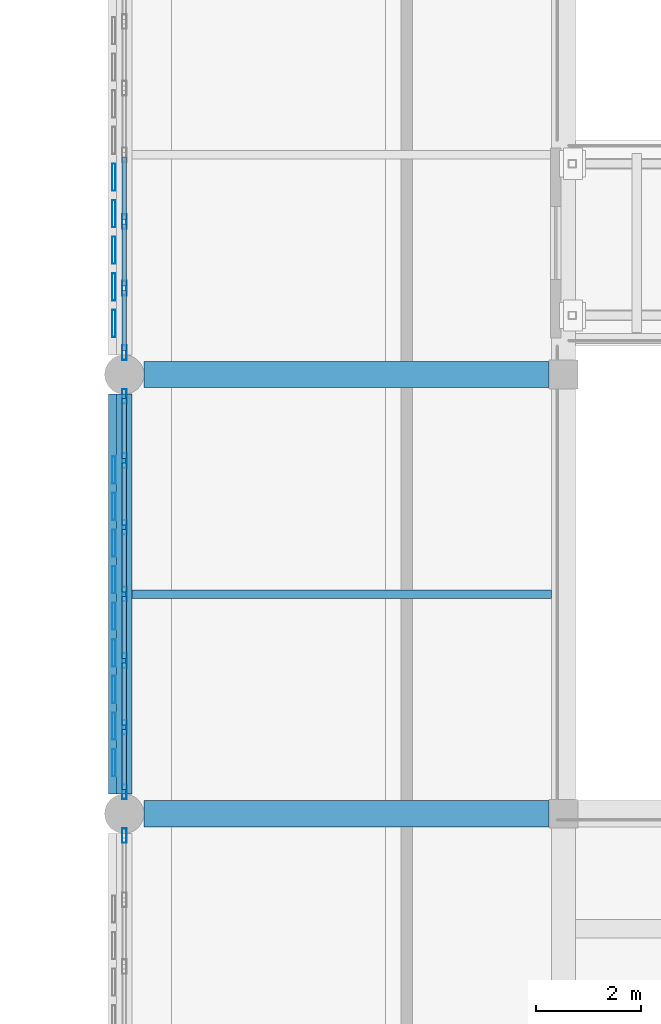
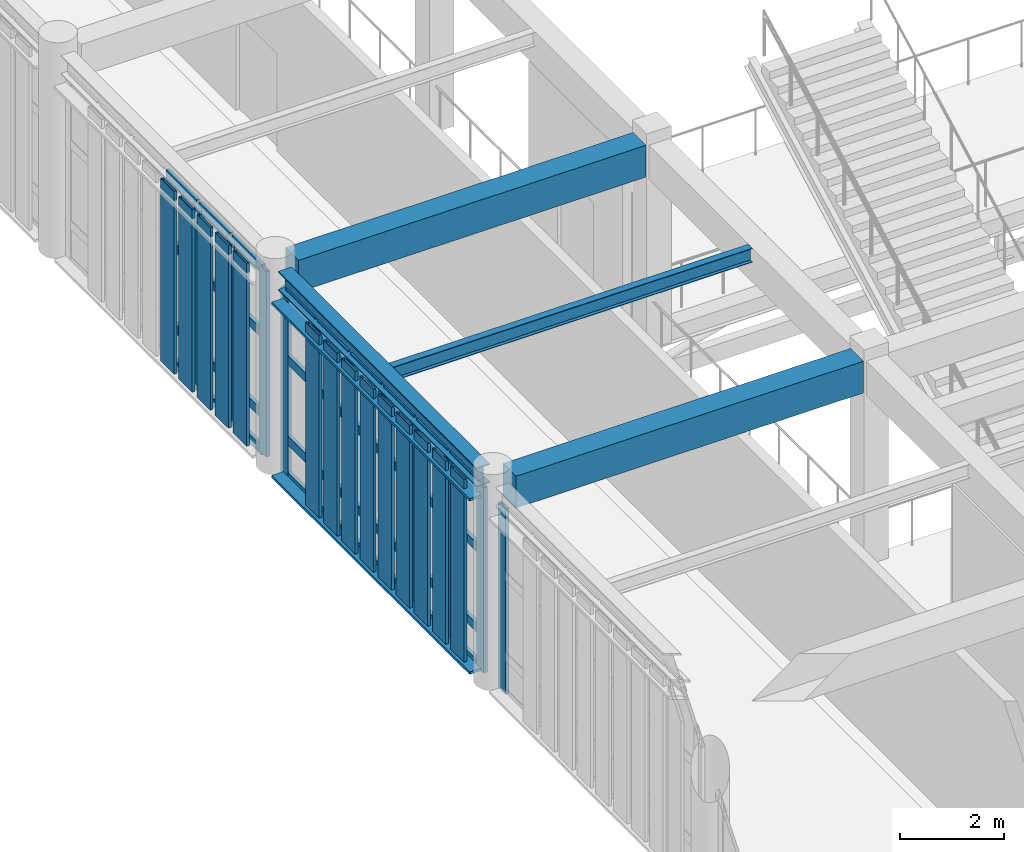
# One storey, part 17 of 106: 63 members, 4 beams, 3 elements without a shape of their own.
"""IFC4 building model written with IfcOpenShell, lengths in metres."""

from ifc_helpers import new_model, si_unit, direction, frame, origin, origin_2d, place, context, subcontext, project, spatial, rectangle, hollow_rectangle, i_section, extrude, material, layer, layer_set, material_profile, profile_set, type_object, element, aggregate, save


model = new_model("IFC4")

# Units and contexts
model_context = context("Model", 3, precision=1e-05, world=origin(), true_north=direction((0.0, 1.0)))
body_context = subcontext(model_context, "Body", "Model", "MODEL_VIEW")
ifc_project = project(units=[si_unit("LENGTHUNIT", "METRE"), si_unit("AREAUNIT", "SQUARE_METRE"), si_unit("VOLUMEUNIT", "CUBIC_METRE"), si_unit("PLANEANGLEUNIT", "RADIAN"), si_unit("MASSUNIT", "GRAM", prefix="KILO")], contexts=[model_context])

# Site, building, storey
site_placement = place(None, origin())
site = spatial("IfcSite", under=ifc_project, at=site_placement, CompositionType="ELEMENT")
building_placement = place(site_placement, origin())
building = spatial("IfcBuilding", under=site, at=building_placement, Name="Krzemoval Escarpment Law Courts", CompositionType="ELEMENT")
storey_placement = place(building_placement, frame((0.0, 0.0, 5.10009765625)))
storey = spatial("IfcBuildingStorey", under=building, at=storey_placement, Name="L01", CompositionType="ELEMENT", Elevation=5.10009765625)

# Beams
ifc_material_1 = material(Name="Concrete C40/50", Category="concrete")
ifc_material_profile_1 = material_profile(ifc_material_1, rectangle(XDim=0.5, YDim=0.75, at=origin_2d()), Name="RCB 500x750")
ifc_profile_set_1 = profile_set([ifc_material_profile_1], Name="Concrete C40/50")
beam_type_1 = type_object("IfcBeamType", Name="BM-RC-500x750", PredefinedType="BEAM", material=ifc_profile_set_1)
for number, where, z_axis, x_axis, name in (
    (1, (8.77490234375, 49.199951171875, 4.44482421875), (1.0, 0.0, 0.0), (0.0, 1.0, 0.0), "Beam FG-L01-1245"),
    (2, (8.77490234375, 57.60009765625, 4.44482421875), (1.0, 0.0, 0.0), (0.0, 1.0, 0.0), "Beam FG-L01-1255"),
):
    element("IfcBeam", number, at=place(storey_placement, frame(where, z_axis=z_axis, x_axis=x_axis)), inside=storey, type_object=beam_type_1, Name=name, PredefinedType="BEAM", context=body_context, shape_type="SweptSolid", body=[
        extrude(rectangle(XDim=0.5, YDim=0.75, at=origin_2d()), origin(), (0.0, 0.0, 1.0), 7.75),
    ])

# Curtain wall, member
ifc_material_2 = material(Name="Aluminium 6063-T6", Category="aluminium")
ifc_layer = layer(ifc_material_2, 0.280029296875)
ifc_layer_set = layer_set([ifc_layer], Name="Aluminium 6063-T6")
curtain_wall_type = type_object("IfcCurtainWallType", Name="CW-HALL-5100", PredefinedType="USERDEFINED", material=ifc_layer_set)
curtain_wall_1_placement = place(storey_placement, origin())
curtain_wall_1 = element("IfcCurtainWall", 3, at=curtain_wall_1_placement, inside=storey, type_object=curtain_wall_type, Name="Unitised Curtain Wall FCW-L01-023", ObjectType="UNITISED_CURTAIN_WALL", PredefinedType="USERDEFINED")
ifc_material_3 = material(Name="Aluminium 6063-T6", Category="aluminium")
ifc_material_profile_2 = material_profile(ifc_material_3, hollow_rectangle(XDim=0.0849609375, YDim=0.280029296875, WallThickness=0.005615234375, at=origin_2d()), Name="ALU M85x280")
ifc_profile_set_2 = profile_set([ifc_material_profile_2], Name="Aluminium 6063-T6")
member_type_1 = type_object("IfcMemberType", Name="CWM-85x280", PredefinedType="MULLION", material=ifc_profile_set_2)
member_1_placement = place(storey_placement, frame((8.39990234375, 48.782470703125, 0.0), z_axis=(0.0, 0.0, 1.0), x_axis=(-1.0, 0.0, 0.0)))
member_1 = element("IfcMember", 4, at=member_1_placement, type_object=member_type_1, Name="FCW-L01-023 mullion 7", PredefinedType="MULLION", context=body_context, shape_type="SweptSolid", body=[
    extrude(hollow_rectangle(XDim=0.0849609375, YDim=0.280029296875, WallThickness=0.005615234375, at=origin_2d()), origin(), (0.0, 0.0, 1.0), 4.369873046875),
])
aggregate(curtain_wall_1, [member_1])

# Curtain wall, members
curtain_wall_2_placement = place(storey_placement, origin())
curtain_wall_2 = element("IfcCurtainWall", 5, at=curtain_wall_2_placement, inside=storey, type_object=curtain_wall_type, Name="Unitised Curtain Wall FCW-L01-024", ObjectType="UNITISED_CURTAIN_WALL", PredefinedType="USERDEFINED")
member_2_placement = place(storey_placement, frame((8.39990234375, 49.617431640625, 0.0), z_axis=(0.0, 0.0, 1.0), x_axis=(-1.0, 0.0, 0.0)))
member_2 = element("IfcMember", 6, at=member_2_placement, type_object=member_type_1, Name="FCW-L01-024 mullion 1", PredefinedType="MULLION", context=body_context, shape_type="SweptSolid", body=[
    extrude(hollow_rectangle(XDim=0.0849609375, YDim=0.280029296875, WallThickness=0.005615234375, at=origin_2d()), origin(), (0.0, 0.0, 1.0), 4.369873046875),
])
member_3_placement = place(storey_placement, frame((8.39990234375, 50.85009765625, 0.0), z_axis=(0.0, 0.0, 1.0), x_axis=(-1.0, 0.0, 0.0)))
member_3 = element("IfcMember", 7, at=member_3_placement, type_object=member_type_1, Name="FCW-L01-024 mullion 2", PredefinedType="MULLION", context=body_context, shape_type="SweptSolid", body=[
    extrude(hollow_rectangle(XDim=0.0849609375, YDim=0.280029296875, WallThickness=0.005615234375, at=origin_2d()), origin(), (0.0, 0.0, 1.0), 4.369873046875),
])
member_4_placement = place(storey_placement, frame((8.39990234375, 52.125, 0.0), z_axis=(0.0, 0.0, 1.0), x_axis=(-1.0, 0.0, 0.0)))
member_4 = element("IfcMember", 8, at=member_4_placement, type_object=member_type_1, Name="FCW-L01-024 mullion 3", PredefinedType="MULLION", context=body_context, shape_type="SweptSolid", body=[
    extrude(hollow_rectangle(XDim=0.0849609375, YDim=0.280029296875, WallThickness=0.005615234375, at=origin_2d()), origin(), (0.0, 0.0, 1.0), 4.369873046875),
])
member_5_placement = place(storey_placement, frame((8.39990234375, 53.39990234375, 0.0), z_axis=(0.0, 0.0, 1.0), x_axis=(-1.0, 0.0, 0.0)))
member_5 = element("IfcMember", 9, at=member_5_placement, type_object=member_type_1, Name="FCW-L01-024 mullion 4", PredefinedType="MULLION", context=body_context, shape_type="SweptSolid", body=[
    extrude(hollow_rectangle(XDim=0.0849609375, YDim=0.280029296875, WallThickness=0.005615234375, at=origin_2d()), origin(), (0.0, 0.0, 1.0), 4.369873046875),
])
member_6_placement = place(storey_placement, frame((8.39990234375, 54.675048828125, 0.0), z_axis=(0.0, 0.0, 1.0), x_axis=(-1.0, 0.0, 0.0)))
member_6 = element("IfcMember", 10, at=member_6_placement, type_object=member_type_1, Name="FCW-L01-024 mullion 5", PredefinedType="MULLION", context=body_context, shape_type="SweptSolid", body=[
    extrude(hollow_rectangle(XDim=0.0849609375, YDim=0.280029296875, WallThickness=0.005615234375, at=origin_2d()), origin(), (0.0, 0.0, 1.0), 4.369873046875),
])
member_7_placement = place(storey_placement, frame((8.39990234375, 55.949951171875, 0.0), z_axis=(0.0, 0.0, 1.0), x_axis=(-1.0, 0.0, 0.0)))
member_7 = element("IfcMember", 11, at=member_7_placement, type_object=member_type_1, Name="FCW-L01-024 mullion 6", PredefinedType="MULLION", context=body_context, shape_type="SweptSolid", body=[
    extrude(hollow_rectangle(XDim=0.0849609375, YDim=0.280029296875, WallThickness=0.005615234375, at=origin_2d()), origin(), (0.0, 0.0, 1.0), 4.369873046875),
])
member_8_placement = place(storey_placement, frame((8.39990234375, 57.1826171875, 0.0), z_axis=(0.0, 0.0, 1.0), x_axis=(-1.0, 0.0, 0.0)))
member_8 = element("IfcMember", 12, at=member_8_placement, type_object=member_type_1, Name="FCW-L01-024 mullion 7", PredefinedType="MULLION", context=body_context, shape_type="SweptSolid", body=[
    extrude(hollow_rectangle(XDim=0.0849609375, YDim=0.280029296875, WallThickness=0.005615234375, at=origin_2d()), origin(), (0.0, 0.0, 1.0), 4.369873046875),
])

curtain_wall_3_placement = place(storey_placement, origin())
curtain_wall_3 = element("IfcCurtainWall", 13, at=curtain_wall_3_placement, inside=storey, type_object=curtain_wall_type, Name="Unitised Curtain Wall FCW-L01-025", ObjectType="UNITISED_CURTAIN_WALL", PredefinedType="USERDEFINED")
member_9_placement = place(storey_placement, frame((8.39990234375, 58.017578125, 0.0), z_axis=(0.0, 0.0, 1.0), x_axis=(-1.0, 0.0, 0.0)))
member_9 = element("IfcMember", 14, at=member_9_placement, type_object=member_type_1, Name="FCW-L01-025 mullion 1", PredefinedType="MULLION", context=body_context, shape_type="SweptSolid", body=[
    extrude(hollow_rectangle(XDim=0.0849609375, YDim=0.280029296875, WallThickness=0.005615234375, at=origin_2d()), origin(), (0.0, 0.0, 1.0), 4.369873046875),
])
member_10_placement = place(storey_placement, frame((8.39990234375, 59.25, 0.0), z_axis=(0.0, 0.0, 1.0), x_axis=(-1.0, 0.0, 0.0)))
member_10 = element("IfcMember", 15, at=member_10_placement, type_object=member_type_1, Name="FCW-L01-025 mullion 2", PredefinedType="MULLION", context=body_context, shape_type="SweptSolid", body=[
    extrude(hollow_rectangle(XDim=0.0849609375, YDim=0.280029296875, WallThickness=0.005615234375, at=origin_2d()), origin(), (0.0, 0.0, 1.0), 4.369873046875),
])
member_11_placement = place(storey_placement, frame((8.39990234375, 60.52490234375, 0.0), z_axis=(0.0, 0.0, 1.0), x_axis=(-1.0, 0.0, 0.0)))
member_11 = element("IfcMember", 16, at=member_11_placement, type_object=member_type_1, Name="FCW-L01-025 mullion 3", PredefinedType="MULLION", context=body_context, shape_type="SweptSolid", body=[
    extrude(hollow_rectangle(XDim=0.0849609375, YDim=0.280029296875, WallThickness=0.005615234375, at=origin_2d()), origin(), (0.0, 0.0, 1.0), 4.369873046875),
])

# Member
ifc_material_4 = material(Name="Aluminium 6063-T6", Category="aluminium")
ifc_material_profile_3 = material_profile(ifc_material_4, hollow_rectangle(XDim=0.0849609375, YDim=0.2099609375, WallThickness=0.005615234375, at=origin_2d()), Name="ALU T85x210")
ifc_profile_set_3 = profile_set([ifc_material_profile_3], Name="Aluminium 6063-T6")
member_type_2 = type_object("IfcMemberType", Name="CWT-85x210", PredefinedType="USERDEFINED", material=ifc_profile_set_3)
member_12_placement = place(storey_placement, frame((8.39990234375, 49.659912109375, 0.04248046875), z_axis=(0.0, 1.0, 0.0), x_axis=(-1.0, 0.0, 0.0)))
member_12 = element("IfcMember", 17, at=member_12_placement, type_object=member_type_2, Name="FCW-L01-024 transom 1.1", ObjectType="TRANSOM", PredefinedType="USERDEFINED", context=body_context, shape_type="SweptSolid", body=[
    extrude(hollow_rectangle(XDim=0.0849609375, YDim=0.2099609375, WallThickness=0.005615234375, at=origin_2d()), origin(), (0.0, 0.0, 1.0), 1.147705078125),
])

member_13_placement = place(storey_placement, frame((8.39990234375, 49.659912109375, 0.89990234375), z_axis=(0.0, 1.0, 0.0), x_axis=(-1.0, 0.0, 0.0)))
member_13 = element("IfcMember", 18, at=member_13_placement, type_object=member_type_2, Name="FCW-L01-024 transom 1.2", ObjectType="TRANSOM", PredefinedType="USERDEFINED", context=body_context, shape_type="SweptSolid", body=[
    extrude(hollow_rectangle(XDim=0.0849609375, YDim=0.2099609375, WallThickness=0.005615234375, at=origin_2d()), origin(), (0.0, 0.0, 1.0), 1.147705078125),
])

member_14_placement = place(storey_placement, frame((8.39990234375, 49.659912109375, 2.7998046875), z_axis=(0.0, 1.0, 0.0), x_axis=(-1.0, 0.0, 0.0)))
member_14 = element("IfcMember", 19, at=member_14_placement, type_object=member_type_2, Name="FCW-L01-024 transom 1.3", ObjectType="TRANSOM", PredefinedType="USERDEFINED", context=body_context, shape_type="SweptSolid", body=[
    extrude(hollow_rectangle(XDim=0.0849609375, YDim=0.2099609375, WallThickness=0.005615234375, at=origin_2d()), origin(), (0.0, 0.0, 1.0), 1.147705078125),
])

member_15_placement = place(storey_placement, frame((8.39990234375, 49.659912109375, 4.327392578125), z_axis=(0.0, 1.0, 0.0), x_axis=(-1.0, 0.0, 0.0)))
member_15 = element("IfcMember", 20, at=member_15_placement, type_object=member_type_2, Name="FCW-L01-024 transom 1.4", ObjectType="TRANSOM", PredefinedType="USERDEFINED", context=body_context, shape_type="SweptSolid", body=[
    extrude(hollow_rectangle(XDim=0.0849609375, YDim=0.2099609375, WallThickness=0.005615234375, at=origin_2d()), origin(), (0.0, 0.0, 1.0), 1.147705078125),
])

member_16_placement = place(storey_placement, frame((8.39990234375, 50.892578125, 0.04248046875), z_axis=(0.0, 1.0, 0.0), x_axis=(-1.0, 0.0, 0.0)))
member_16 = element("IfcMember", 21, at=member_16_placement, type_object=member_type_2, Name="FCW-L01-024 transom 2.1", ObjectType="TRANSOM", PredefinedType="USERDEFINED", context=body_context, shape_type="SweptSolid", body=[
    extrude(hollow_rectangle(XDim=0.0849609375, YDim=0.2099609375, WallThickness=0.005615234375, at=origin_2d()), origin(), (0.0, 0.0, 1.0), 1.18994140625),
])

member_17_placement = place(storey_placement, frame((8.39990234375, 50.892578125, 0.89990234375), z_axis=(0.0, 1.0, 0.0), x_axis=(-1.0, 0.0, 0.0)))
member_17 = element("IfcMember", 22, at=member_17_placement, type_object=member_type_2, Name="FCW-L01-024 transom 2.2", ObjectType="TRANSOM", PredefinedType="USERDEFINED", context=body_context, shape_type="SweptSolid", body=[
    extrude(hollow_rectangle(XDim=0.0849609375, YDim=0.2099609375, WallThickness=0.005615234375, at=origin_2d()), origin(), (0.0, 0.0, 1.0), 1.18994140625),
])

member_18_placement = place(storey_placement, frame((8.39990234375, 50.892578125, 2.7998046875), z_axis=(0.0, 1.0, 0.0), x_axis=(-1.0, 0.0, 0.0)))
member_18 = element("IfcMember", 23, at=member_18_placement, type_object=member_type_2, Name="FCW-L01-024 transom 2.3", ObjectType="TRANSOM", PredefinedType="USERDEFINED", context=body_context, shape_type="SweptSolid", body=[
    extrude(hollow_rectangle(XDim=0.0849609375, YDim=0.2099609375, WallThickness=0.005615234375, at=origin_2d()), origin(), (0.0, 0.0, 1.0), 1.18994140625),
])

member_19_placement = place(storey_placement, frame((8.39990234375, 50.892578125, 4.327392578125), z_axis=(0.0, 1.0, 0.0), x_axis=(-1.0, 0.0, 0.0)))
member_19 = element("IfcMember", 24, at=member_19_placement, type_object=member_type_2, Name="FCW-L01-024 transom 2.4", ObjectType="TRANSOM", PredefinedType="USERDEFINED", context=body_context, shape_type="SweptSolid", body=[
    extrude(hollow_rectangle(XDim=0.0849609375, YDim=0.2099609375, WallThickness=0.005615234375, at=origin_2d()), origin(), (0.0, 0.0, 1.0), 1.18994140625),
])

member_20_placement = place(storey_placement, frame((8.39990234375, 52.16748046875, 0.04248046875), z_axis=(0.0, 1.0, 0.0), x_axis=(-1.0, 0.0, 0.0)))
member_20 = element("IfcMember", 25, at=member_20_placement, type_object=member_type_2, Name="FCW-L01-024 transom 3.1", ObjectType="TRANSOM", PredefinedType="USERDEFINED", context=body_context, shape_type="SweptSolid", body=[
    extrude(hollow_rectangle(XDim=0.0849609375, YDim=0.2099609375, WallThickness=0.005615234375, at=origin_2d()), origin(), (0.0, 0.0, 1.0), 1.18994140625),
])

member_21_placement = place(storey_placement, frame((8.39990234375, 52.16748046875, 0.89990234375), z_axis=(0.0, 1.0, 0.0), x_axis=(-1.0, 0.0, 0.0)))
member_21 = element("IfcMember", 26, at=member_21_placement, type_object=member_type_2, Name="FCW-L01-024 transom 3.2", ObjectType="TRANSOM", PredefinedType="USERDEFINED", context=body_context, shape_type="SweptSolid", body=[
    extrude(hollow_rectangle(XDim=0.0849609375, YDim=0.2099609375, WallThickness=0.005615234375, at=origin_2d()), origin(), (0.0, 0.0, 1.0), 1.18994140625),
])

member_22_placement = place(storey_placement, frame((8.39990234375, 52.16748046875, 2.7998046875), z_axis=(0.0, 1.0, 0.0), x_axis=(-1.0, 0.0, 0.0)))
member_22 = element("IfcMember", 27, at=member_22_placement, type_object=member_type_2, Name="FCW-L01-024 transom 3.3", ObjectType="TRANSOM", PredefinedType="USERDEFINED", context=body_context, shape_type="SweptSolid", body=[
    extrude(hollow_rectangle(XDim=0.0849609375, YDim=0.2099609375, WallThickness=0.005615234375, at=origin_2d()), origin(), (0.0, 0.0, 1.0), 1.18994140625),
])

member_23_placement = place(storey_placement, frame((8.39990234375, 52.16748046875, 4.327392578125), z_axis=(0.0, 1.0, 0.0), x_axis=(-1.0, 0.0, 0.0)))
member_23 = element("IfcMember", 28, at=member_23_placement, type_object=member_type_2, Name="FCW-L01-024 transom 3.4", ObjectType="TRANSOM", PredefinedType="USERDEFINED", context=body_context, shape_type="SweptSolid", body=[
    extrude(hollow_rectangle(XDim=0.0849609375, YDim=0.2099609375, WallThickness=0.005615234375, at=origin_2d()), origin(), (0.0, 0.0, 1.0), 1.18994140625),
])

member_24_placement = place(storey_placement, frame((8.39990234375, 53.4423828125, 0.04248046875), z_axis=(0.0, 1.0, 0.0), x_axis=(-1.0, 0.0, 0.0)))
member_24 = element("IfcMember", 29, at=member_24_placement, type_object=member_type_2, Name="FCW-L01-024 transom 4.1", ObjectType="TRANSOM", PredefinedType="USERDEFINED", context=body_context, shape_type="SweptSolid", body=[
    extrude(hollow_rectangle(XDim=0.0849609375, YDim=0.2099609375, WallThickness=0.005615234375, at=origin_2d()), origin(), (0.0, 0.0, 1.0), 1.190185546875),
])

member_25_placement = place(storey_placement, frame((8.39990234375, 53.4423828125, 0.89990234375), z_axis=(0.0, 1.0, 0.0), x_axis=(-1.0, 0.0, 0.0)))
member_25 = element("IfcMember", 30, at=member_25_placement, type_object=member_type_2, Name="FCW-L01-024 transom 4.2", ObjectType="TRANSOM", PredefinedType="USERDEFINED", context=body_context, shape_type="SweptSolid", body=[
    extrude(hollow_rectangle(XDim=0.0849609375, YDim=0.2099609375, WallThickness=0.005615234375, at=origin_2d()), origin(), (0.0, 0.0, 1.0), 1.190185546875),
])

member_26_placement = place(storey_placement, frame((8.39990234375, 53.4423828125, 2.7998046875), z_axis=(0.0, 1.0, 0.0), x_axis=(-1.0, 0.0, 0.0)))
member_26 = element("IfcMember", 31, at=member_26_placement, type_object=member_type_2, Name="FCW-L01-024 transom 4.3", ObjectType="TRANSOM", PredefinedType="USERDEFINED", context=body_context, shape_type="SweptSolid", body=[
    extrude(hollow_rectangle(XDim=0.0849609375, YDim=0.2099609375, WallThickness=0.005615234375, at=origin_2d()), origin(), (0.0, 0.0, 1.0), 1.190185546875),
])

member_27_placement = place(storey_placement, frame((8.39990234375, 53.4423828125, 4.327392578125), z_axis=(0.0, 1.0, 0.0), x_axis=(-1.0, 0.0, 0.0)))
member_27 = element("IfcMember", 32, at=member_27_placement, type_object=member_type_2, Name="FCW-L01-024 transom 4.4", ObjectType="TRANSOM", PredefinedType="USERDEFINED", context=body_context, shape_type="SweptSolid", body=[
    extrude(hollow_rectangle(XDim=0.0849609375, YDim=0.2099609375, WallThickness=0.005615234375, at=origin_2d()), origin(), (0.0, 0.0, 1.0), 1.190185546875),
])

member_28_placement = place(storey_placement, frame((8.39990234375, 54.717529296875, 0.04248046875), z_axis=(0.0, 1.0, 0.0), x_axis=(-1.0, 0.0, 0.0)))
member_28 = element("IfcMember", 33, at=member_28_placement, type_object=member_type_2, Name="FCW-L01-024 transom 5.1", ObjectType="TRANSOM", PredefinedType="USERDEFINED", context=body_context, shape_type="SweptSolid", body=[
    extrude(hollow_rectangle(XDim=0.0849609375, YDim=0.2099609375, WallThickness=0.005615234375, at=origin_2d()), origin(), (0.0, 0.0, 1.0), 1.18994140625),
])

member_29_placement = place(storey_placement, frame((8.39990234375, 54.717529296875, 0.89990234375), z_axis=(0.0, 1.0, 0.0), x_axis=(-1.0, 0.0, 0.0)))
member_29 = element("IfcMember", 34, at=member_29_placement, type_object=member_type_2, Name="FCW-L01-024 transom 5.2", ObjectType="TRANSOM", PredefinedType="USERDEFINED", context=body_context, shape_type="SweptSolid", body=[
    extrude(hollow_rectangle(XDim=0.0849609375, YDim=0.2099609375, WallThickness=0.005615234375, at=origin_2d()), origin(), (0.0, 0.0, 1.0), 1.18994140625),
])

member_30_placement = place(storey_placement, frame((8.39990234375, 54.717529296875, 2.7998046875), z_axis=(0.0, 1.0, 0.0), x_axis=(-1.0, 0.0, 0.0)))
member_30 = element("IfcMember", 35, at=member_30_placement, type_object=member_type_2, Name="FCW-L01-024 transom 5.3", ObjectType="TRANSOM", PredefinedType="USERDEFINED", context=body_context, shape_type="SweptSolid", body=[
    extrude(hollow_rectangle(XDim=0.0849609375, YDim=0.2099609375, WallThickness=0.005615234375, at=origin_2d()), origin(), (0.0, 0.0, 1.0), 1.18994140625),
])

member_31_placement = place(storey_placement, frame((8.39990234375, 54.717529296875, 4.327392578125), z_axis=(0.0, 1.0, 0.0), x_axis=(-1.0, 0.0, 0.0)))
member_31 = element("IfcMember", 36, at=member_31_placement, type_object=member_type_2, Name="FCW-L01-024 transom 5.4", ObjectType="TRANSOM", PredefinedType="USERDEFINED", context=body_context, shape_type="SweptSolid", body=[
    extrude(hollow_rectangle(XDim=0.0849609375, YDim=0.2099609375, WallThickness=0.005615234375, at=origin_2d()), origin(), (0.0, 0.0, 1.0), 1.18994140625),
])

member_32_placement = place(storey_placement, frame((8.39990234375, 55.992431640625, 0.04248046875), z_axis=(0.0, 1.0, 0.0), x_axis=(-1.0, 0.0, 0.0)))
member_32 = element("IfcMember", 37, at=member_32_placement, type_object=member_type_2, Name="FCW-L01-024 transom 6.1", ObjectType="TRANSOM", PredefinedType="USERDEFINED", context=body_context, shape_type="SweptSolid", body=[
    extrude(hollow_rectangle(XDim=0.0849609375, YDim=0.2099609375, WallThickness=0.005615234375, at=origin_2d()), origin(), (0.0, 0.0, 1.0), 1.1474609375),
])

member_33_placement = place(storey_placement, frame((8.39990234375, 55.992431640625, 0.89990234375), z_axis=(0.0, 1.0, 0.0), x_axis=(-1.0, 0.0, 0.0)))
member_33 = element("IfcMember", 38, at=member_33_placement, type_object=member_type_2, Name="FCW-L01-024 transom 6.2", ObjectType="TRANSOM", PredefinedType="USERDEFINED", context=body_context, shape_type="SweptSolid", body=[
    extrude(hollow_rectangle(XDim=0.0849609375, YDim=0.2099609375, WallThickness=0.005615234375, at=origin_2d()), origin(), (0.0, 0.0, 1.0), 1.1474609375),
])

member_34_placement = place(storey_placement, frame((8.39990234375, 55.992431640625, 2.7998046875), z_axis=(0.0, 1.0, 0.0), x_axis=(-1.0, 0.0, 0.0)))
member_34 = element("IfcMember", 39, at=member_34_placement, type_object=member_type_2, Name="FCW-L01-024 transom 6.3", ObjectType="TRANSOM", PredefinedType="USERDEFINED", context=body_context, shape_type="SweptSolid", body=[
    extrude(hollow_rectangle(XDim=0.0849609375, YDim=0.2099609375, WallThickness=0.005615234375, at=origin_2d()), origin(), (0.0, 0.0, 1.0), 1.1474609375),
])

member_35_placement = place(storey_placement, frame((8.39990234375, 55.992431640625, 4.327392578125), z_axis=(0.0, 1.0, 0.0), x_axis=(-1.0, 0.0, 0.0)))
member_35 = element("IfcMember", 40, at=member_35_placement, type_object=member_type_2, Name="FCW-L01-024 transom 6.4", ObjectType="TRANSOM", PredefinedType="USERDEFINED", context=body_context, shape_type="SweptSolid", body=[
    extrude(hollow_rectangle(XDim=0.0849609375, YDim=0.2099609375, WallThickness=0.005615234375, at=origin_2d()), origin(), (0.0, 0.0, 1.0), 1.1474609375),
])

aggregate(curtain_wall_2, [member_2, member_3, member_4, member_5, member_6, member_7, member_8, member_12, member_13, member_14, member_15, member_16, member_17, member_18, member_19, member_20, member_21, member_22, member_23, member_24, member_25, member_26, member_27, member_28, member_29, member_30, member_31, member_32, member_33, member_34, member_35])

member_36_placement = place(storey_placement, frame((8.39990234375, 58.06005859375, 0.04248046875), z_axis=(0.0, 1.0, 0.0), x_axis=(-1.0, 0.0, 0.0)))
member_36 = element("IfcMember", 41, at=member_36_placement, type_object=member_type_2, Name="FCW-L01-025 transom 1.1", ObjectType="TRANSOM", PredefinedType="USERDEFINED", context=body_context, shape_type="SweptSolid", body=[
    extrude(hollow_rectangle(XDim=0.0849609375, YDim=0.2099609375, WallThickness=0.005615234375, at=origin_2d()), origin(), (0.0, 0.0, 1.0), 1.1474609375),
])

member_37_placement = place(storey_placement, frame((8.39990234375, 58.06005859375, 0.89990234375), z_axis=(0.0, 1.0, 0.0), x_axis=(-1.0, 0.0, 0.0)))
member_37 = element("IfcMember", 42, at=member_37_placement, type_object=member_type_2, Name="FCW-L01-025 transom 1.2", ObjectType="TRANSOM", PredefinedType="USERDEFINED", context=body_context, shape_type="SweptSolid", body=[
    extrude(hollow_rectangle(XDim=0.0849609375, YDim=0.2099609375, WallThickness=0.005615234375, at=origin_2d()), origin(), (0.0, 0.0, 1.0), 1.1474609375),
])

member_38_placement = place(storey_placement, frame((8.39990234375, 58.06005859375, 2.7998046875), z_axis=(0.0, 1.0, 0.0), x_axis=(-1.0, 0.0, 0.0)))
member_38 = element("IfcMember", 43, at=member_38_placement, type_object=member_type_2, Name="FCW-L01-025 transom 1.3", ObjectType="TRANSOM", PredefinedType="USERDEFINED", context=body_context, shape_type="SweptSolid", body=[
    extrude(hollow_rectangle(XDim=0.0849609375, YDim=0.2099609375, WallThickness=0.005615234375, at=origin_2d()), origin(), (0.0, 0.0, 1.0), 1.1474609375),
])

member_39_placement = place(storey_placement, frame((8.39990234375, 58.06005859375, 4.327392578125), z_axis=(0.0, 1.0, 0.0), x_axis=(-1.0, 0.0, 0.0)))
member_39 = element("IfcMember", 44, at=member_39_placement, type_object=member_type_2, Name="FCW-L01-025 transom 1.4", ObjectType="TRANSOM", PredefinedType="USERDEFINED", context=body_context, shape_type="SweptSolid", body=[
    extrude(hollow_rectangle(XDim=0.0849609375, YDim=0.2099609375, WallThickness=0.005615234375, at=origin_2d()), origin(), (0.0, 0.0, 1.0), 1.1474609375),
])

member_40_placement = place(storey_placement, frame((8.39990234375, 59.29248046875, 0.04248046875), z_axis=(0.0, 1.0, 0.0), x_axis=(-1.0, 0.0, 0.0)))
member_40 = element("IfcMember", 45, at=member_40_placement, type_object=member_type_2, Name="FCW-L01-025 transom 2.1", ObjectType="TRANSOM", PredefinedType="USERDEFINED", context=body_context, shape_type="SweptSolid", body=[
    extrude(hollow_rectangle(XDim=0.0849609375, YDim=0.2099609375, WallThickness=0.005615234375, at=origin_2d()), origin(), (0.0, 0.0, 1.0), 1.18994140625),
])

member_41_placement = place(storey_placement, frame((8.39990234375, 59.29248046875, 0.89990234375), z_axis=(0.0, 1.0, 0.0), x_axis=(-1.0, 0.0, 0.0)))
member_41 = element("IfcMember", 46, at=member_41_placement, type_object=member_type_2, Name="FCW-L01-025 transom 2.2", ObjectType="TRANSOM", PredefinedType="USERDEFINED", context=body_context, shape_type="SweptSolid", body=[
    extrude(hollow_rectangle(XDim=0.0849609375, YDim=0.2099609375, WallThickness=0.005615234375, at=origin_2d()), origin(), (0.0, 0.0, 1.0), 1.18994140625),
])

member_42_placement = place(storey_placement, frame((8.39990234375, 59.29248046875, 2.7998046875), z_axis=(0.0, 1.0, 0.0), x_axis=(-1.0, 0.0, 0.0)))
member_42 = element("IfcMember", 47, at=member_42_placement, type_object=member_type_2, Name="FCW-L01-025 transom 2.3", ObjectType="TRANSOM", PredefinedType="USERDEFINED", context=body_context, shape_type="SweptSolid", body=[
    extrude(hollow_rectangle(XDim=0.0849609375, YDim=0.2099609375, WallThickness=0.005615234375, at=origin_2d()), origin(), (0.0, 0.0, 1.0), 1.18994140625),
])

member_43_placement = place(storey_placement, frame((8.39990234375, 59.29248046875, 4.327392578125), z_axis=(0.0, 1.0, 0.0), x_axis=(-1.0, 0.0, 0.0)))
member_43 = element("IfcMember", 48, at=member_43_placement, type_object=member_type_2, Name="FCW-L01-025 transom 2.4", ObjectType="TRANSOM", PredefinedType="USERDEFINED", context=body_context, shape_type="SweptSolid", body=[
    extrude(hollow_rectangle(XDim=0.0849609375, YDim=0.2099609375, WallThickness=0.005615234375, at=origin_2d()), origin(), (0.0, 0.0, 1.0), 1.18994140625),
])

member_44_placement = place(storey_placement, frame((8.39990234375, 60.5673828125, 0.04248046875), z_axis=(0.0, 1.0, 0.0), x_axis=(-1.0, 0.0, 0.0)))
member_44 = element("IfcMember", 49, at=member_44_placement, type_object=member_type_2, Name="FCW-L01-025 transom 3.1", ObjectType="TRANSOM", PredefinedType="USERDEFINED", context=body_context, shape_type="SweptSolid", body=[
    extrude(hollow_rectangle(XDim=0.0849609375, YDim=0.2099609375, WallThickness=0.005615234375, at=origin_2d()), origin(), (0.0, 0.0, 1.0), 1.190185546875),
])

member_45_placement = place(storey_placement, frame((8.39990234375, 60.5673828125, 0.89990234375), z_axis=(0.0, 1.0, 0.0), x_axis=(-1.0, 0.0, 0.0)))
member_45 = element("IfcMember", 50, at=member_45_placement, type_object=member_type_2, Name="FCW-L01-025 transom 3.2", ObjectType="TRANSOM", PredefinedType="USERDEFINED", context=body_context, shape_type="SweptSolid", body=[
    extrude(hollow_rectangle(XDim=0.0849609375, YDim=0.2099609375, WallThickness=0.005615234375, at=origin_2d()), origin(), (0.0, 0.0, 1.0), 1.190185546875),
])

member_46_placement = place(storey_placement, frame((8.39990234375, 60.5673828125, 2.7998046875), z_axis=(0.0, 1.0, 0.0), x_axis=(-1.0, 0.0, 0.0)))
member_46 = element("IfcMember", 51, at=member_46_placement, type_object=member_type_2, Name="FCW-L01-025 transom 3.3", ObjectType="TRANSOM", PredefinedType="USERDEFINED", context=body_context, shape_type="SweptSolid", body=[
    extrude(hollow_rectangle(XDim=0.0849609375, YDim=0.2099609375, WallThickness=0.005615234375, at=origin_2d()), origin(), (0.0, 0.0, 1.0), 1.190185546875),
])

member_47_placement = place(storey_placement, frame((8.39990234375, 60.5673828125, 4.327392578125), z_axis=(0.0, 1.0, 0.0), x_axis=(-1.0, 0.0, 0.0)))
member_47 = element("IfcMember", 52, at=member_47_placement, type_object=member_type_2, Name="FCW-L01-025 transom 3.4", ObjectType="TRANSOM", PredefinedType="USERDEFINED", context=body_context, shape_type="SweptSolid", body=[
    extrude(hollow_rectangle(XDim=0.0849609375, YDim=0.2099609375, WallThickness=0.005615234375, at=origin_2d()), origin(), (0.0, 0.0, 1.0), 1.190185546875),
])

aggregate(curtain_wall_3, [member_9, member_10, member_11, member_36, member_37, member_38, member_39, member_40, member_41, member_42, member_43, member_44, member_45, member_46, member_47])

# Beam
ifc_material_5 = material(Name="Steel S355", Category="steel")
ifc_material_profile_4 = material_profile(ifc_material_5, i_section(OverallWidth=0.159912109375, OverallDepth=0.330078125, WebThickness=0.007568359375, FlangeThickness=0.011474609375, at=origin_2d()), Name="IPE 330")
ifc_profile_set_4 = profile_set([ifc_material_profile_4], Name="Steel S355")
beam_type_2 = type_object("IfcBeamType", Name="JST-S355-IPE330", PredefinedType="JOIST", material=ifc_profile_set_4)
beam_1_placement = place(storey_placement, frame((8.550048828125, 53.39990234375, 4.65478515625), z_axis=(1.0, 0.0, 0.0), x_axis=(0.0, 1.0, 0.0)))
element("IfcBeam", 53, at=beam_1_placement, inside=storey, type_object=beam_type_2, Name="Secondary Joist FJ-L01-1606", PredefinedType="JOIST", context=body_context, shape_type="SweptSolid", body=[
    extrude(i_section(OverallWidth=0.159912109375, OverallDepth=0.330078125, WebThickness=0.007568359375, FlangeThickness=0.011474609375, at=origin_2d()), origin(), (0.0, 0.0, 1.0), 8.02490234375),
])

# Members
ifc_material_6 = material(Name="Anodised Aluminium Alloy 6063-T6", Category="aluminium")
ifc_material_profile_5 = material_profile(ifc_material_6, hollow_rectangle(XDim=0.06005859375, YDim=0.320068359375, WallThickness=0.00390625, at=origin_2d()), Name="ALU LVR 60x320")
ifc_profile_set_5 = profile_set([ifc_material_profile_5], Name="Anodised Aluminium Alloy 6063-T6")
member_type_3 = type_object("IfcMemberType", Name="LVR-ALU-320", PredefinedType="USERDEFINED", material=ifc_profile_set_5)
for number, where, z_axis, x_axis, name in (
    (54, (8.260009765625, 49.574951171875, 0.02978515625), (0.0, 1.0, 0.0), (0.0, 0.0, 1.0), "Sunshade Support Rail FSR-L01-0019"),
    (55, (8.260009765625, 49.574951171875, 4.119873046875), (0.0, 1.0, 0.0), (0.0, 0.0, 1.0), "Sunshade Support Rail FSR-L01-0020"),
):
    element("IfcMember", number, at=place(storey_placement, frame(where, z_axis=z_axis, x_axis=x_axis)), inside=storey, type_object=member_type_3, Name=name, ObjectType="SUNSHADE_LOUVRE", PredefinedType="USERDEFINED", context=body_context, shape_type="SweptSolid", body=[
        extrude(hollow_rectangle(XDim=0.06005859375, YDim=0.320068359375, WallThickness=0.00390625, at=origin_2d()), origin(), (0.0, 0.0, 1.0), 7.650146484375),
    ])
ifc_material_7 = material(Name="Anodised Aluminium Alloy 6063-T6", Category="aluminium")
ifc_material_profile_6 = material_profile(ifc_material_7, hollow_rectangle(XDim=0.06494140625, YDim=0.52001953125, WallThickness=0.00439453125, at=origin_2d()), Name="ALU LVR 65x520")
ifc_profile_set_6 = profile_set([ifc_material_profile_6], Name="Anodised Aluminium Alloy 6063-T6")
member_type_4 = type_object("IfcMemberType", Name="LVR-ALU-520", PredefinedType="USERDEFINED", material=ifc_profile_set_6)
for number, where, z_axis, x_axis, name in (
    (56, (8.199951171875, 50.175048828125, 0.059814453125), (0.0, 0.0, 1.0), (1.0, 0.0, 0.0), "Sunshade Louvre Fin FLV-L01-0021"),
    (57, (8.199951171875, 50.875, 0.059814453125), (0.0, 0.0, 1.0), (1.0, 0.0, 0.0), "Sunshade Louvre Fin FLV-L01-0022"),
    (58, (8.199951171875, 51.574951171875, 0.059814453125), (0.0, 0.0, 1.0), (1.0, 0.0, 0.0), "Sunshade Louvre Fin FLV-L01-0023"),
    (59, (8.199951171875, 52.27490234375, 0.059814453125), (0.0, 0.0, 1.0), (1.0, 0.0, 0.0), "Sunshade Louvre Fin FLV-L01-0024"),
    (60, (8.199951171875, 52.97509765625, 0.059814453125), (0.0, 0.0, 1.0), (1.0, 0.0, 0.0), "Sunshade Louvre Fin FLV-L01-0025"),
    (61, (8.199951171875, 53.675048828125, 0.059814453125), (0.0, 0.0, 1.0), (1.0, 0.0, 0.0), "Sunshade Louvre Fin FLV-L01-0026"),
    (62, (8.199951171875, 54.375, 0.059814453125), (0.0, 0.0, 1.0), (1.0, 0.0, 0.0), "Sunshade Louvre Fin FLV-L01-0027"),
    (63, (8.199951171875, 55.074951171875, 0.059814453125), (0.0, 0.0, 1.0), (1.0, 0.0, 0.0), "Sunshade Louvre Fin FLV-L01-0028"),
    (64, (8.199951171875, 55.77490234375, 0.059814453125), (0.0, 0.0, 1.0), (1.0, 0.0, 0.0), "Sunshade Louvre Fin FLV-L01-0029"),
    (65, (8.199951171875, 58.574951171875, 0.059814453125), (0.0, 0.0, 1.0), (1.0, 0.0, 0.0), "Sunshade Louvre Fin FLV-L01-0032"),
    (66, (8.199951171875, 59.27490234375, 0.059814453125), (0.0, 0.0, 1.0), (1.0, 0.0, 0.0), "Sunshade Louvre Fin FLV-L01-0033"),
    (67, (8.199951171875, 59.97509765625, 0.059814453125), (0.0, 0.0, 1.0), (1.0, 0.0, 0.0), "Sunshade Louvre Fin FLV-L01-0034"),
    (68, (8.199951171875, 60.675048828125, 0.059814453125), (0.0, 0.0, 1.0), (1.0, 0.0, 0.0), "Sunshade Louvre Fin FLV-L01-0035"),
    (69, (8.199951171875, 61.375, 0.059814453125), (0.0, 0.0, 1.0), (1.0, 0.0, 0.0), "Sunshade Louvre Fin FLV-L01-0036"),
):
    element("IfcMember", number, at=place(storey_placement, frame(where, z_axis=z_axis, x_axis=x_axis)), inside=storey, type_object=member_type_4, Name=name, ObjectType="SUNSHADE_LOUVRE", PredefinedType="USERDEFINED", context=body_context, shape_type="SweptSolid", body=[
        extrude(hollow_rectangle(XDim=0.06494140625, YDim=0.52001953125, WallThickness=0.00439453125, at=origin_2d()), origin(), (0.0, 0.0, 1.0), 4.31005859375),
    ])

# Beam
ifc_material_8 = material(Name="Steel S355", Category="steel")
ifc_material_profile_7 = material_profile(ifc_material_8, i_section(OverallWidth=0.300048828125, OverallDepth=0.449951171875, WebThickness=0.013916015625, FlangeThickness=0.02587890625, at=origin_2d()), Name="HEB 450")
ifc_profile_set_7 = profile_set([ifc_material_profile_7], Name="Steel S355")
beam_type_3 = type_object("IfcBeamType", Name="SPN-S355-HEB450", PredefinedType="SPANDREL", material=ifc_profile_set_7)
beam_2_placement = place(storey_placement, frame((8.39990234375, 49.574951171875, 4.594970703125), z_axis=(0.0, 1.0, 0.0), x_axis=(-1.0, 0.0, 0.0)))
element("IfcBeam", 70, at=beam_2_placement, inside=storey, type_object=beam_type_3, Name="Beam FG-L01-1384", PredefinedType="SPANDREL", context=body_context, shape_type="SweptSolid", body=[
    extrude(i_section(OverallWidth=0.300048828125, OverallDepth=0.449951171875, WebThickness=0.013916015625, FlangeThickness=0.02587890625, at=origin_2d()), origin(), (0.0, 0.0, 1.0), 7.650146484375),
])

save(model, "model.ifc")
